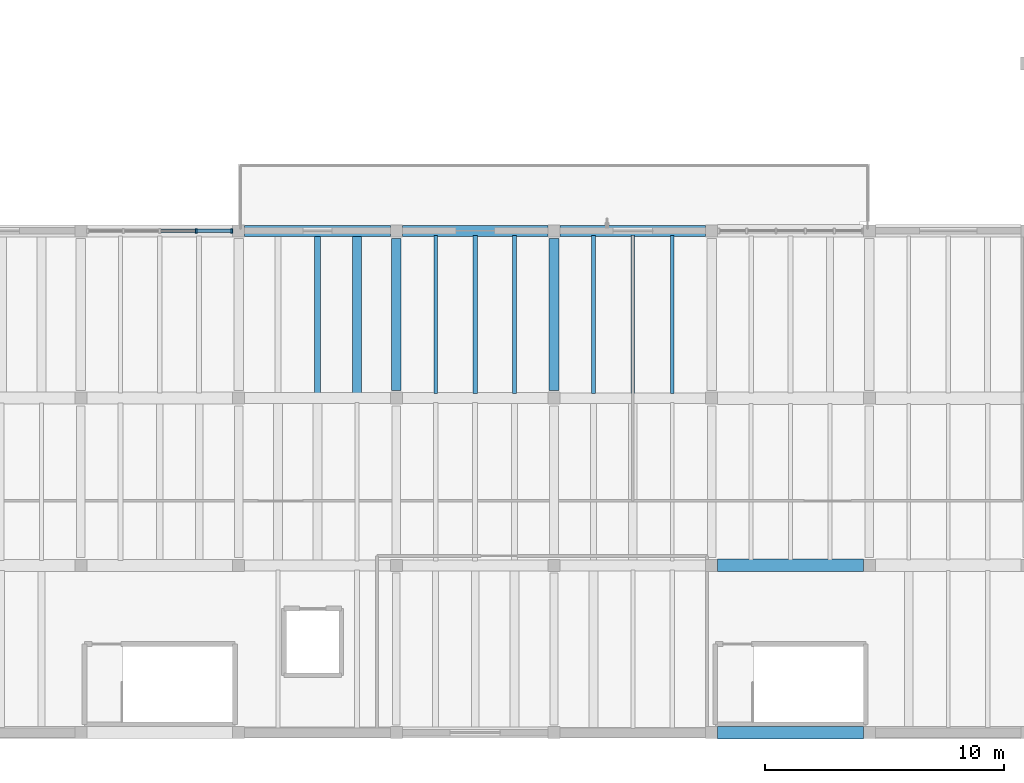
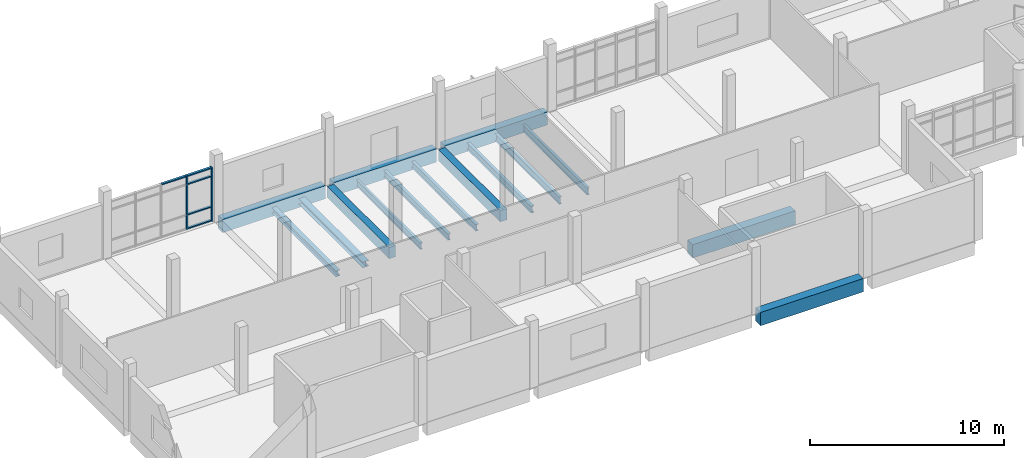
# One storey, part 3 of 65: 15 beams, 7 members, 1 element without a shape of its own.
"""IFC4 building model written with IfcOpenShell, lengths in metres."""

from ifc_helpers import new_model, si_unit, direction, frame, origin, origin_2d, place, context, subcontext, project, spatial, rectangle, i_section, extrude, material, material_profile, profile_set, type_object, element, aggregate, save


model = new_model("IFC4")

# Units and contexts
model_context = context("Model", 3, precision=1e-05, world=origin(), true_north=direction((0.0, 1.0)))
body_context = subcontext(model_context, "Body", "Model", "MODEL_VIEW")
ifc_project = project(units=[si_unit("LENGTHUNIT", "METRE"), si_unit("AREAUNIT", "SQUARE_METRE"), si_unit("VOLUMEUNIT", "CUBIC_METRE"), si_unit("PLANEANGLEUNIT", "RADIAN"), si_unit("MASSUNIT", "GRAM", prefix="KILO")], contexts=[model_context])

# Site, building, storey
site_placement = place(None, origin())
site = spatial("IfcSite", under=ifc_project, at=site_placement, CompositionType="ELEMENT")
building_placement = place(site_placement, origin())
building = spatial("IfcBuilding", under=site, at=building_placement, Name="Ciguamira Faculty of Natural Sciences", CompositionType="ELEMENT")
storey_placement = place(building_placement, frame((0.0, 0.0, 12.60009765625)))
storey = spatial("IfcBuildingStorey", under=building, at=storey_placement, Name="L03", CompositionType="ELEMENT", Elevation=12.60009765625)

# Curtain wall, members
ifc_material_1 = material(Name="Anodized aluminium curtain wall", Category="aluminium")
curtain_wall_type = type_object("IfcCurtainWallType", Name="CurtainWall_CW-11", PredefinedType="USERDEFINED", material=ifc_material_1)
curtain_wall_placement = place(storey_placement, origin())
curtain_wall = element("IfcCurtainWall", 1, at=curtain_wall_placement, inside=storey, type_object=curtain_wall_type, Name="L03 unitised curtain wall 0083", ObjectType="UNITISED CURTAIN WALL", PredefinedType="USERDEFINED")
ifc_material_2 = material(Name="Anodized aluminium mullion", Category="aluminium")
ifc_material_profile_1 = material_profile(ifc_material_2, rectangle(XDim=0.070068359375, YDim=0.179931640625, at=origin_2d()), Name="ALU-MUL-70X180")
ifc_profile_set_1 = profile_set([ifc_material_profile_1], Name="Anodized aluminium mullion")
member_type_1 = type_object("IfcMemberType", Name="CWMullion_CWM-02", PredefinedType="MULLION", material=ifc_profile_set_1)
member_1_placement = place(storey_placement, frame((15.925048828125, 24.0, 0.0), z_axis=(0.0, 0.0, 1.0), x_axis=(1.0, 0.0, 0.0)))
member_1 = element("IfcMember", 2, at=member_1_placement, type_object=member_type_1, Name="CW-11 mullion 4", PredefinedType="MULLION", context=body_context, shape_type="SweptSolid", body=[
    extrude(rectangle(XDim=0.070068359375, YDim=0.179931640625, at=origin_2d()), origin(), (0.0, 0.0, 1.0), 3.364990234375),
])
member_2_placement = place(storey_placement, frame((17.4150390625, 24.0, 0.0), z_axis=(0.0, 0.0, 1.0), x_axis=(1.0, 0.0, 0.0)))
member_2 = element("IfcMember", 3, at=member_2_placement, type_object=member_type_1, Name="CW-11 mullion 5", PredefinedType="MULLION", context=body_context, shape_type="SweptSolid", body=[
    extrude(rectangle(XDim=0.070068359375, YDim=0.179931640625, at=origin_2d()), origin(), (0.0, 0.0, 1.0), 3.364990234375),
])
ifc_material_3 = material(Name="Anodized aluminium transom", Category="aluminium")
ifc_material_profile_2 = material_profile(ifc_material_3, rectangle(XDim=0.070068359375, YDim=0.139892578125, at=origin_2d()), Name="ALU-TRN-70X140")
ifc_profile_set_2 = profile_set([ifc_material_profile_2], Name="Anodized aluminium transom")
member_type_2 = type_object("IfcMemberType", Name="CWTransom_CWT-02", PredefinedType="USERDEFINED", material=ifc_profile_set_2)
member_3_placement = place(storey_placement, frame((14.43505859375, 24.0, 3.329833984375), z_axis=(1.0, 0.0, 0.0), x_axis=(0.0, 0.0, 1.0)))
member_3 = element("IfcMember", 4, at=member_3_placement, type_object=member_type_2, Name="CW-11 transom 3.4", ObjectType="TRANSOM", PredefinedType="USERDEFINED", context=body_context, shape_type="SweptSolid", body=[
    extrude(rectangle(XDim=0.070068359375, YDim=0.139892578125, at=origin_2d()), origin(), (0.0, 0.0, 1.0), 1.454833984375),
])
member_4_placement = place(storey_placement, frame((15.9599609375, 24.0, 0.034912109375), z_axis=(1.0, 0.0, 0.0), x_axis=(0.0, 0.0, 1.0)))
member_4 = element("IfcMember", 5, at=member_4_placement, type_object=member_type_2, Name="CW-11 transom 4.1", ObjectType="TRANSOM", PredefinedType="USERDEFINED", context=body_context, shape_type="SweptSolid", body=[
    extrude(rectangle(XDim=0.070068359375, YDim=0.139892578125, at=origin_2d()), origin(), (0.0, 0.0, 1.0), 1.419921875),
])
member_5_placement = place(storey_placement, frame((15.9599609375, 24.0, 0.89990234375), z_axis=(1.0, 0.0, 0.0), x_axis=(0.0, 0.0, 1.0)))
member_5 = element("IfcMember", 6, at=member_5_placement, type_object=member_type_2, Name="CW-11 transom 4.2", ObjectType="TRANSOM", PredefinedType="USERDEFINED", context=body_context, shape_type="SweptSolid", body=[
    extrude(rectangle(XDim=0.070068359375, YDim=0.139892578125, at=origin_2d()), origin(), (0.0, 0.0, 1.0), 1.419921875),
])
member_6_placement = place(storey_placement, frame((15.9599609375, 24.0, 2.81494140625), z_axis=(1.0, 0.0, 0.0), x_axis=(0.0, 0.0, 1.0)))
member_6 = element("IfcMember", 7, at=member_6_placement, type_object=member_type_2, Name="CW-11 transom 4.3", ObjectType="TRANSOM", PredefinedType="USERDEFINED", context=body_context, shape_type="SweptSolid", body=[
    extrude(rectangle(XDim=0.070068359375, YDim=0.139892578125, at=origin_2d()), origin(), (0.0, 0.0, 1.0), 1.419921875),
])
member_7_placement = place(storey_placement, frame((15.9599609375, 24.0, 3.329833984375), z_axis=(1.0, 0.0, 0.0), x_axis=(0.0, 0.0, 1.0)))
member_7 = element("IfcMember", 8, at=member_7_placement, type_object=member_type_2, Name="CW-11 transom 4.4", ObjectType="TRANSOM", PredefinedType="USERDEFINED", context=body_context, shape_type="SweptSolid", body=[
    extrude(rectangle(XDim=0.070068359375, YDim=0.139892578125, at=origin_2d()), origin(), (0.0, 0.0, 1.0), 1.419921875),
])
aggregate(curtain_wall, [member_1, member_2, member_3, member_4, member_5, member_6, member_7])

# Beams
ifc_material_4 = material(Name="Concrete C40/50", Category="concrete")
ifc_material_profile_3 = material_profile(ifc_material_4, rectangle(XDim=0.4599609375, YDim=0.820068359375, at=origin_2d()), Name="RC-BM-460X820")
ifc_profile_set_3 = profile_set([ifc_material_profile_3], Name="Concrete C40/50")
beam_type_1 = type_object("IfcBeamType", Name="RCBeam_BG-04_RC-BM-460X820", PredefinedType="BEAM", material=ifc_profile_set_3)
beam_1_placement = place(storey_placement, frame((17.949951171875, 24.0, -0.41015625), z_axis=(1.0, 0.0, 0.0), x_axis=(0.0, 1.0, 0.0)))
element("IfcBeam", 9, at=beam_1_placement, inside=storey, type_object=beam_type_1, Name="L03 RC girder EW-1058", PredefinedType="BEAM", context=body_context, shape_type="SweptSolid", body=[
    extrude(rectangle(XDim=0.4599609375, YDim=0.820068359375, at=origin_2d()), origin(), (0.0, 0.0, 1.0), 6.10009765625),
])
beam_2_placement = place(storey_placement, frame((24.550048828125, 24.0, -0.41015625), z_axis=(1.0, 0.0, 0.0), x_axis=(0.0, 1.0, 0.0)))
element("IfcBeam", 10, at=beam_2_placement, inside=storey, type_object=beam_type_1, Name="L03 RC girder EW-1059", PredefinedType="BEAM", context=body_context, shape_type="SweptSolid", body=[
    extrude(rectangle(XDim=0.4599609375, YDim=0.820068359375, at=origin_2d()), origin(), (0.0, 0.0, 1.0), 6.099853515625),
])
ifc_material_profile_4 = material_profile(ifc_material_4, rectangle(XDim=0.449951171875, YDim=0.800048828125, at=origin_2d()), Name="RC-BM-450X800")
ifc_profile_set_4 = profile_set([ifc_material_profile_4], Name="Concrete C40/50")
beam_type_2 = type_object("IfcBeamType", Name="RCBeam_BG-05_RC-BM-450X800", PredefinedType="BEAM", material=ifc_profile_set_4)
beam_3_placement = place(storey_placement, frame((31.14990234375, 24.0, -0.400146484375), z_axis=(1.0, 0.0, 0.0), x_axis=(0.0, 1.0, 0.0)))
element("IfcBeam", 11, at=beam_3_placement, inside=storey, type_object=beam_type_2, Name="L03 RC girder EW-1060", PredefinedType="BEAM", context=body_context, shape_type="SweptSolid", body=[
    extrude(rectangle(XDim=0.449951171875, YDim=0.800048828125, at=origin_2d()), origin(), (0.0, 0.0, 1.0), 6.10009765625),
])
ifc_material_profile_5 = material_profile(ifc_material_4, rectangle(XDim=0.39990234375, YDim=0.699951171875, at=origin_2d()), Name="RC-BM-400X700")
ifc_profile_set_5 = profile_set([ifc_material_profile_5], Name="Concrete C40/50")
beam_type_3 = type_object("IfcBeamType", Name="RCBeam_BG-08_RC-BM-400X700", PredefinedType="BEAM", material=ifc_profile_set_5)
for number, where, z_axis, x_axis, name in (
    (12, (24.300048828125, 17.324951171875, -0.35009765625), (0.0, 1.0, 0.0), (-1.0, 0.0, 0.0), "L03 girder NS-1192"),
    (13, (30.89990234375, 17.324951171875, -0.35009765625), (0.0, 1.0, 0.0), (-1.0, 0.0, 0.0), "L03 girder NS-1195"),
):
    element("IfcBeam", number, at=place(storey_placement, frame(where, z_axis=z_axis, x_axis=x_axis)), inside=storey, type_object=beam_type_3, Name=name, PredefinedType="BEAM", context=body_context, shape_type="SweptSolid", body=[
        extrude(rectangle(XDim=0.39990234375, YDim=0.699951171875, at=origin_2d()), origin(), (0.0, 0.0, 1.0), 6.35009765625),
    ])
ifc_material_profile_6 = material_profile(ifc_material_4, rectangle(XDim=0.52001953125, YDim=0.840087890625, at=origin_2d()), Name="RC-TB-520X840")
ifc_profile_set_6 = profile_set([ifc_material_profile_6], Name="Concrete C40/50")
beam_type_4 = type_object("IfcBeamType", Name="RCBeam_TB-02_RC-TB-520X840", PredefinedType="T_BEAM", material=ifc_profile_set_6)
for number, where, z_axis, x_axis, name in (
    (14, (37.75, 3.0, -0.420166015625), (1.0, 0.0, 0.0), (0.0, 1.0, 0.0), "L03 RC girder EW-1018"),
    (15, (37.75, 10.0, -0.420166015625), (1.0, 0.0, 0.0), (0.0, 1.0, 0.0), "L03 RC girder EW-1025"),
):
    element("IfcBeam", number, at=place(storey_placement, frame(where, z_axis=z_axis, x_axis=x_axis)), inside=storey, type_object=beam_type_4, Name=name, PredefinedType="T_BEAM", context=body_context, shape_type="SweptSolid", body=[
        extrude(rectangle(XDim=0.52001953125, YDim=0.840087890625, at=origin_2d()), origin(), (0.0, 0.0, 1.0), 6.10009765625),
    ])
ifc_material_5 = material(Name="Steel ASTM A992 Grade 50", Category="steel")
ifc_material_profile_7 = material_profile(ifc_material_5, i_section(OverallWidth=0.256591796875, OverallDepth=0.36328125, WebThickness=0.012939453125, FlangeThickness=0.021728515625, at=origin_2d()), Name="W14X82")
ifc_profile_set_7 = profile_set([ifc_material_profile_7], Name="Steel ASTM A992 Grade 50")
beam_type_5 = type_object("IfcBeamType", Name="SteelJoist_SJ-15_W14X82", PredefinedType="JOIST", material=ifc_profile_set_7)
beam_4_placement = place(storey_placement, frame((21.0, 17.18994140625, -0.441650390625), z_axis=(0.0, 1.0, 0.0), x_axis=(-1.0, 0.0, 0.0)))
element("IfcBeam", 16, at=beam_4_placement, inside=storey, type_object=beam_type_5, Name="L03 composite steel joist 00978", PredefinedType="JOIST", context=body_context, shape_type="SweptSolid", body=[
    extrude(i_section(OverallWidth=0.256591796875, OverallDepth=0.36328125, WebThickness=0.012939453125, FlangeThickness=0.021728515625, at=origin_2d()), origin(), (0.0, 0.0, 1.0), 6.6201171875),
])
ifc_material_profile_8 = material_profile(ifc_material_5, i_section(OverallWidth=0.368408203125, OverallDepth=0.355712890625, WebThickness=0.01123046875, FlangeThickness=0.01806640625, at=origin_2d()), Name="W14X90")
ifc_profile_set_8 = profile_set([ifc_material_profile_8], Name="Steel ASTM A992 Grade 50")
beam_type_6 = type_object("IfcBeamType", Name="SteelJoist_SJ-16_W14X90", PredefinedType="JOIST", material=ifc_profile_set_8)
beam_5_placement = place(storey_placement, frame((22.64990234375, 17.18994140625, -0.43798828125), z_axis=(0.0, 1.0, 0.0), x_axis=(-1.0, 0.0, 0.0)))
element("IfcBeam", 17, at=beam_5_placement, inside=storey, type_object=beam_type_6, Name="L03 composite steel joist 00979", PredefinedType="JOIST", context=body_context, shape_type="SweptSolid", body=[
    extrude(i_section(OverallWidth=0.368408203125, OverallDepth=0.355712890625, WebThickness=0.01123046875, FlangeThickness=0.01806640625, at=origin_2d()), origin(), (0.0, 0.0, 1.0), 6.6201171875),
])
ifc_material_profile_9 = material_profile(ifc_material_5, i_section(OverallWidth=0.140380859375, OverallDepth=0.40380859375, WebThickness=0.007080078125, FlangeThickness=0.01123046875, at=origin_2d()), Name="W16X31")
ifc_profile_set_9 = profile_set([ifc_material_profile_9], Name="Steel ASTM A992 Grade 50")
beam_type_7 = type_object("IfcBeamType", Name="SteelJoist_SJ-17_W16X31", PredefinedType="JOIST", material=ifc_profile_set_9)
beam_6_placement = place(storey_placement, frame((25.949951171875, 17.18994140625, -0.4619140625), z_axis=(0.0, 1.0, 0.0), x_axis=(-1.0, 0.0, 0.0)))
element("IfcBeam", 18, at=beam_6_placement, inside=storey, type_object=beam_type_7, Name="L03 composite steel joist 00986", PredefinedType="JOIST", context=body_context, shape_type="SweptSolid", body=[
    extrude(i_section(OverallWidth=0.140380859375, OverallDepth=0.40380859375, WebThickness=0.007080078125, FlangeThickness=0.01123046875, at=origin_2d()), origin(), (0.0, 0.0, 1.0), 6.6201171875),
])
ifc_material_profile_10 = material_profile(ifc_material_5, i_section(OverallWidth=0.177490234375, OverallDepth=0.40380859375, WebThickness=0.007568359375, FlangeThickness=0.010986328125, at=origin_2d()), Name="W16X36")
ifc_profile_set_10 = profile_set([ifc_material_profile_10], Name="Steel ASTM A992 Grade 50")
beam_type_8 = type_object("IfcBeamType", Name="SteelJoist_SJ-18_W16X36", PredefinedType="JOIST", material=ifc_profile_set_10)
beam_7_placement = place(storey_placement, frame((27.60009765625, 17.18994140625, -0.4619140625), z_axis=(0.0, 1.0, 0.0), x_axis=(-1.0, 0.0, 0.0)))
element("IfcBeam", 19, at=beam_7_placement, inside=storey, type_object=beam_type_8, Name="L03 composite steel joist 00987", PredefinedType="JOIST", context=body_context, shape_type="SweptSolid", body=[
    extrude(i_section(OverallWidth=0.177490234375, OverallDepth=0.40380859375, WebThickness=0.007568359375, FlangeThickness=0.010986328125, at=origin_2d()), origin(), (0.0, 0.0, 1.0), 6.6201171875),
])
ifc_material_profile_11 = material_profile(ifc_material_5, i_section(OverallWidth=0.1787109375, OverallDepth=0.408935546875, WebThickness=0.0087890625, FlangeThickness=0.014404296875, at=origin_2d()), Name="W16X45")
ifc_profile_set_11 = profile_set([ifc_material_profile_11], Name="Steel ASTM A992 Grade 50")
beam_type_9 = type_object("IfcBeamType", Name="SteelJoist_SJ-19_W16X45", PredefinedType="JOIST", material=ifc_profile_set_11)
beam_8_placement = place(storey_placement, frame((29.25, 17.18994140625, -0.464599609375), z_axis=(0.0, 1.0, 0.0), x_axis=(-1.0, 0.0, 0.0)))
element("IfcBeam", 20, at=beam_8_placement, inside=storey, type_object=beam_type_9, Name="L03 composite steel joist 00988", PredefinedType="JOIST", context=body_context, shape_type="SweptSolid", body=[
    extrude(i_section(OverallWidth=0.1787109375, OverallDepth=0.408935546875, WebThickness=0.0087890625, FlangeThickness=0.014404296875, at=origin_2d()), origin(), (0.0, 0.0, 1.0), 6.6201171875),
])
ifc_material_profile_12 = material_profile(ifc_material_5, i_section(OverallWidth=0.180908203125, OverallDepth=0.41650390625, WebThickness=0.010986328125, FlangeThickness=0.01806640625, at=origin_2d()), Name="W16X57")
ifc_profile_set_12 = profile_set([ifc_material_profile_12], Name="Steel ASTM A992 Grade 50")
beam_type_10 = type_object("IfcBeamType", Name="SteelJoist_SJ-20_W16X57", PredefinedType="JOIST", material=ifc_profile_set_12)
beam_9_placement = place(storey_placement, frame((32.550048828125, 17.18505859375, -0.468505859375), z_axis=(0.0, 1.0, 0.0), x_axis=(-1.0, 0.0, 0.0)))
element("IfcBeam", 21, at=beam_9_placement, inside=storey, type_object=beam_type_10, Name="L03 composite steel joist 00995", PredefinedType="JOIST", context=body_context, shape_type="SweptSolid", body=[
    extrude(i_section(OverallWidth=0.180908203125, OverallDepth=0.41650390625, WebThickness=0.010986328125, FlangeThickness=0.01806640625, at=origin_2d()), origin(), (0.0, 0.0, 1.0), 6.6298828125),
])
ifc_material_profile_13 = material_profile(ifc_material_5, i_section(OverallWidth=0.15234375, OverallDepth=0.449462890625, WebThickness=0.007568359375, FlangeThickness=0.0107421875, at=origin_2d()), Name="W18X35")
ifc_profile_set_13 = profile_set([ifc_material_profile_13], Name="Steel ASTM A992 Grade 50")
beam_type_11 = type_object("IfcBeamType", Name="SteelJoist_SJ-21_W18X35", PredefinedType="JOIST", material=ifc_profile_set_13)
beam_10_placement = place(storey_placement, frame((34.199951171875, 17.18505859375, -0.48486328125), z_axis=(0.0, 1.0, 0.0), x_axis=(-1.0, 0.0, 0.0)))
element("IfcBeam", 22, at=beam_10_placement, inside=storey, type_object=beam_type_11, Name="L03 composite steel joist 00996", PredefinedType="JOIST", context=body_context, shape_type="SweptSolid", body=[
    extrude(i_section(OverallWidth=0.15234375, OverallDepth=0.449462890625, WebThickness=0.007568359375, FlangeThickness=0.0107421875, at=origin_2d()), origin(), (0.0, 0.0, 1.0), 6.6298828125),
])
ifc_material_profile_14 = material_profile(ifc_material_5, i_section(OverallWidth=0.15283203125, OverallDepth=0.45458984375, WebThickness=0.008056640625, FlangeThickness=0.013427734375, at=origin_2d()), Name="W18X40")
ifc_profile_set_14 = profile_set([ifc_material_profile_14], Name="Steel ASTM A992 Grade 50")
beam_type_12 = type_object("IfcBeamType", Name="SteelJoist_SJ-22_W18X40", PredefinedType="JOIST", material=ifc_profile_set_14)
beam_11_placement = place(storey_placement, frame((35.85009765625, 17.18505859375, -0.4873046875), z_axis=(0.0, 1.0, 0.0), x_axis=(-1.0, 0.0, 0.0)))
element("IfcBeam", 23, at=beam_11_placement, inside=storey, type_object=beam_type_12, Name="L03 composite steel joist 00997", PredefinedType="JOIST", context=body_context, shape_type="SweptSolid", body=[
    extrude(i_section(OverallWidth=0.15283203125, OverallDepth=0.45458984375, WebThickness=0.008056640625, FlangeThickness=0.013427734375, at=origin_2d()), origin(), (0.0, 0.0, 1.0), 6.6298828125),
])

save(model, "model.ifc")
